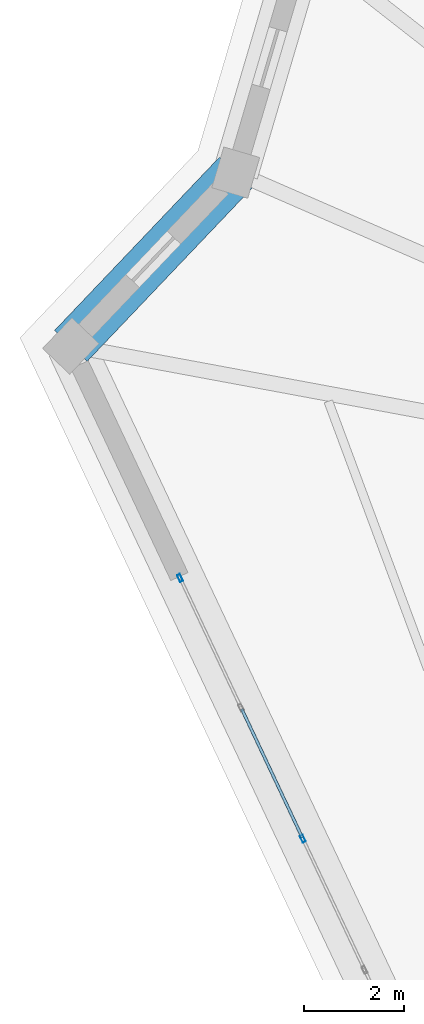
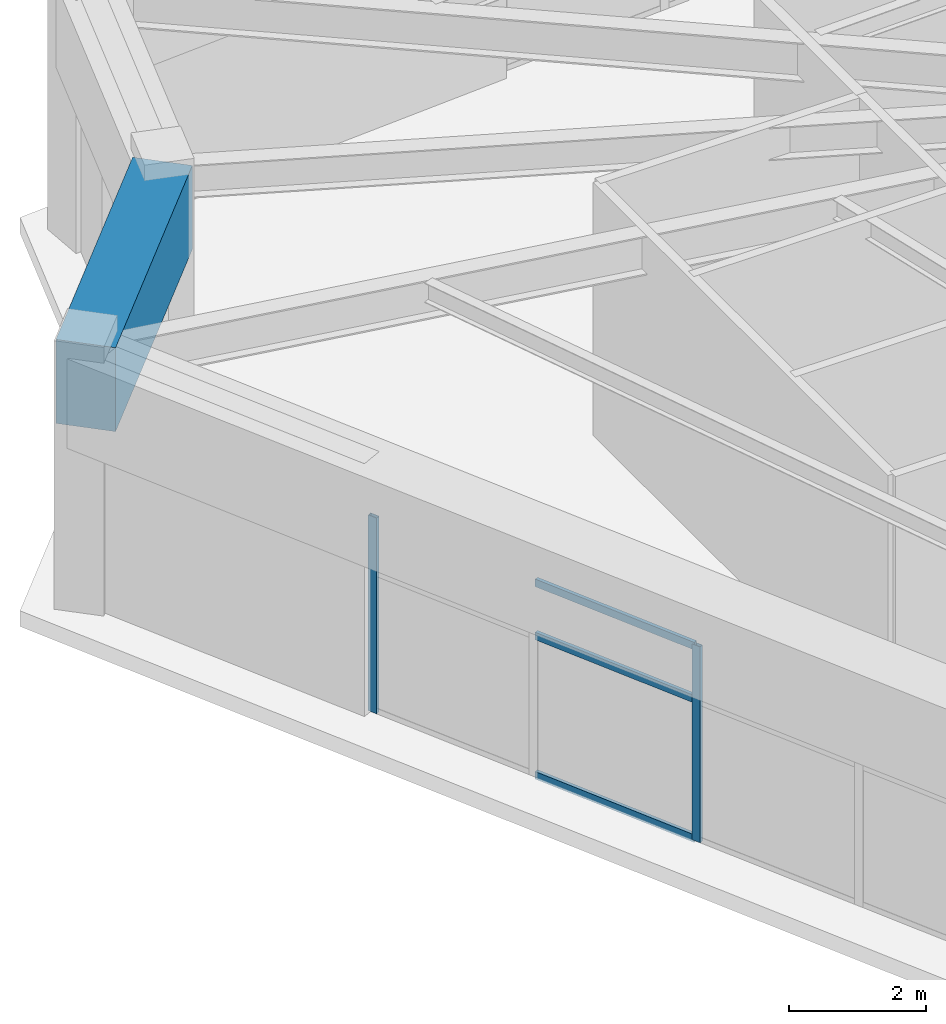
# One storey, part 21 of 40: 5 members, 1 beam, 1 element without a shape of its own.
"""IFC4 building model written with IfcOpenShell, lengths in metres."""

from ifc_helpers import new_model, si_unit, direction, frame, origin, origin_2d, place, context, subcontext, project, spatial, rectangle, hollow_rectangle, extrude, source, transform, mapped, material, layer, layer_set, material_profile, profile_set, type_object, element, aggregate, save


model = new_model("IFC4")

# Units and contexts
model_context = context("Model", 3, precision=1e-05, world=origin(), true_north=direction((0.0, 1.0)))
body_context = subcontext(model_context, "Body", "Model", "MODEL_VIEW")
ifc_project = project(units=[si_unit("LENGTHUNIT", "METRE"), si_unit("AREAUNIT", "SQUARE_METRE"), si_unit("VOLUMEUNIT", "CUBIC_METRE"), si_unit("PLANEANGLEUNIT", "RADIAN"), si_unit("MASSUNIT", "GRAM", prefix="KILO")], contexts=[model_context])

# Site, building, storey
site_placement = place(None, origin())
site = spatial("IfcSite", under=ifc_project, at=site_placement, CompositionType="ELEMENT")
building_placement = place(site_placement, origin())
building = spatial("IfcBuilding", under=site, at=building_placement, Name="Liaohun Quay Tower", CompositionType="ELEMENT")
storey_placement = place(building_placement, frame((0.0, 0.0, 351.0)))
storey = spatial("IfcBuildingStorey", under=building, at=storey_placement, Name="L91", CompositionType="ELEMENT", Elevation=351.0)

# Beam
ifc_material_1 = material(Name="Concrete C55", Category="concrete")
ifc_material_profile_1 = material_profile(ifc_material_1, rectangle(XDim=0.89990234375, YDim=1.5, at=origin_2d()), Name="RC900x1500")
ifc_profile_set_1 = profile_set([ifc_material_profile_1], Name="Concrete C55")
beam_type = type_object("IfcBeamType", Name="BM-CAN-RING", PredefinedType="BEAM", material=ifc_profile_set_1)
shared_shape_1 = source(origin(), body_context, "Body", "SweptSolid", [
    extrude(rectangle(XDim=0.89990234375, YDim=1.5, at=origin_2d()), origin(), (0.0, 0.0, 1.0), 4.78857421875),
])
beam_placement = place(storey_placement, frame((31.410888671875, 65.131103515625, 3.77001953125), z_axis=(0.689350846043, 0.724427643771, 0.0), x_axis=(-0.724427643771, 0.689350846043, 0.0)))
element("IfcBeam", 1, at=beam_placement, inside=storey, type_object=beam_type, Name="L91 Precast Spandrel Beam PC03-PC04", PredefinedType="BEAM", context=body_context, shape_type="MappedRepresentation", body=[
    mapped(shared_shape_1, transform((0.0, 0.0, 0.0), x_axis=(1.0, 0.0, 0.0), y_axis=(0.0, 1.0, 0.0), z_axis=(0.0, 0.0, 1.0), scale=1.0)),
])

# Curtain wall, members
ifc_material_2 = material(Name="Observation gallery panoramic triple-glazed curtain wall")
ifc_layer = layer(ifc_material_2, 0.219970703125, Name="Observation gallery panoramic triple-glazed curtain wall")
ifc_layer_set = layer_set([ifc_layer], Name="Observation gallery panoramic triple-glazed curtain wall")
curtain_wall_type = type_object("IfcCurtainWallType", Name="CW-OBS-CRN", PredefinedType="NOTDEFINED", material=ifc_layer_set)
curtain_wall_placement = place(storey_placement, origin())
curtain_wall = element("IfcCurtainWall", 2, at=curtain_wall_placement, inside=storey, type_object=curtain_wall_type, Name="L91 Panoramic Belvedere Curtain Wall 05", PredefinedType="NOTDEFINED")
ifc_material_3 = material(Name="Anodised aluminium 6063-T6", Category="aluminium")
ifc_material_profile_2 = material_profile(ifc_material_3, hollow_rectangle(XDim=0.06494140625, YDim=0.14990234375, WallThickness=0.00390625, at=origin_2d()), Name="RHS150x65x4")
ifc_profile_set_2 = profile_set([ifc_material_profile_2], Name="Anodised aluminium 6063-T6")
member_type_1 = type_object("IfcMemberType", Name="MEM-CWM-SKY", PredefinedType="MULLION", material=ifc_profile_set_2)
shared_shape_2 = source(origin(), body_context, "Body", "SweptSolid", [
    extrude(hollow_rectangle(XDim=0.06494140625, YDim=0.14990234375, WallThickness=0.00390625, at=origin_2d()), origin(), (0.0, 0.0, 1.0), 3.5),
])
member_1_placement = place(storey_placement, frame((33.597900390625, 60.486572265625, 0.0), z_axis=(0.0, 0.0, 1.0), x_axis=(0.904728821785, 0.425987979915, 0.0)))
member_1 = element("IfcMember", 3, at=member_1_placement, type_object=member_type_1, Name="CW6 mullion 1", PredefinedType="MULLION", context=body_context, shape_type="MappedRepresentation", body=[
    mapped(shared_shape_2, transform((0.0, 0.0, 0.0), x_axis=(1.0, 0.0, 0.0), y_axis=(0.0, 1.0, 0.0), z_axis=(0.0, 0.0, 1.0), scale=1.0)),
])
member_2_placement = place(storey_placement, frame((36.054931640625, 55.26806640625, 0.0), z_axis=(0.0, 0.0, 1.0), x_axis=(0.904728821785, 0.425987979915, 0.0)))
member_2 = element("IfcMember", 4, at=member_2_placement, type_object=member_type_1, Name="CW6 mullion 3", PredefinedType="MULLION", context=body_context, shape_type="MappedRepresentation", body=[
    mapped(shared_shape_2, transform((0.0, 0.0, 0.0), x_axis=(1.0, 0.0, 0.0), y_axis=(0.0, 1.0, 0.0), z_axis=(0.0, 0.0, 1.0), scale=1.0)),
])
ifc_material_profile_3 = material_profile(ifc_material_3, hollow_rectangle(XDim=0.06005859375, YDim=0.135009765625, WallThickness=0.00390625, at=origin_2d()), Name="RHS135x60x4")
ifc_profile_set_3 = profile_set([ifc_material_profile_3], Name="Anodised aluminium 6063-T6")
member_type_2 = type_object("IfcMemberType", Name="MEM-CWT-SKY", PredefinedType="USERDEFINED", material=ifc_profile_set_3)
shared_shape_3 = source(origin(), body_context, "Body", "SweptSolid", [
    extrude(hollow_rectangle(XDim=0.06005859375, YDim=0.135009765625, WallThickness=0.00390625, at=origin_2d()), origin(), (0.0, 0.0, 1.0), 2.83544921875),
])
member_3_placement = place(storey_placement, frame((34.833251953125, 57.862548828125, 0.030029296875), z_axis=(0.426045821212, -0.90470158518, 0.0), x_axis=(0.90470158518, 0.426045821212, 0.0)))
member_3 = element("IfcMember", 5, at=member_3_placement, type_object=member_type_2, Name="CW6 transom 2.1", ObjectType="TRANSOM", PredefinedType="USERDEFINED", context=body_context, shape_type="MappedRepresentation", body=[
    mapped(shared_shape_3, transform((0.0, 0.0, 0.0), x_axis=(1.0, 0.0, 0.0), y_axis=(0.0, 1.0, 0.0), z_axis=(0.0, 0.0, 1.0), scale=1.0)),
])
member_4_placement = place(storey_placement, frame((34.833251953125, 57.862548828125, 2.52001953125), z_axis=(0.426045821212, -0.90470158518, 0.0), x_axis=(0.90470158518, 0.426045821212, 0.0)))
member_4 = element("IfcMember", 6, at=member_4_placement, type_object=member_type_2, Name="CW6 transom 2.2", ObjectType="TRANSOM", PredefinedType="USERDEFINED", context=body_context, shape_type="MappedRepresentation", body=[
    mapped(shared_shape_3, transform((0.0, 0.0, 0.0), x_axis=(1.0, 0.0, 0.0), y_axis=(0.0, 1.0, 0.0), z_axis=(0.0, 0.0, 1.0), scale=1.0)),
])
member_5_placement = place(storey_placement, frame((34.833251953125, 57.862548828125, 3.469970703125), z_axis=(0.426045821212, -0.90470158518, 0.0), x_axis=(0.90470158518, 0.426045821212, 0.0)))
member_5 = element("IfcMember", 7, at=member_5_placement, type_object=member_type_2, Name="CW6 transom 2.3", ObjectType="TRANSOM", PredefinedType="USERDEFINED", context=body_context, shape_type="MappedRepresentation", body=[
    mapped(shared_shape_3, transform((0.0, 0.0, 0.0), x_axis=(1.0, 0.0, 0.0), y_axis=(0.0, 1.0, 0.0), z_axis=(0.0, 0.0, 1.0), scale=1.0)),
])
aggregate(curtain_wall, [member_1, member_2, member_3, member_4, member_5])

save(model, "model.ifc")
